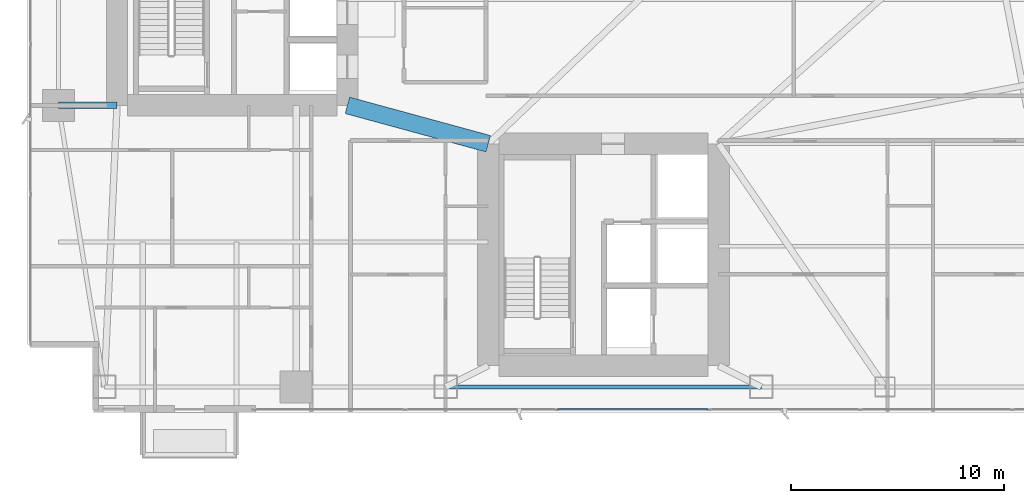
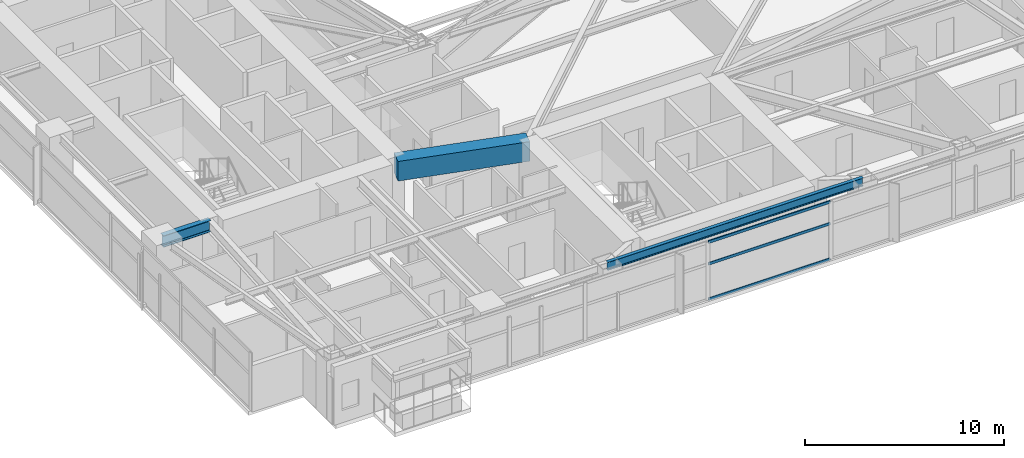
# One storey, part 7 of 29: 3 beams, 3 members, 1 element without a shape of its own.
"""IFC4 building model written with IfcOpenShell, lengths in metres."""

import ifcopenshell
import ifcopenshell.guid

model = None  # the IFC model being written
_history = None  # IfcOwnerHistory: only IFC2X3 demands one
_inside = {}  # id of a spatial element -> (the spatial element, [elements in it])
_under = {}  # id of a project, library or spatial element -> (it, [spatial elements below it])
_declared = {}  # id of a project -> (the project, [libraries it declares])
_typed = {}  # id of a type object -> (the type object, [elements of that type])
_made_of = {}  # id of a material, layer set ... -> (it, [elements and type objects made of it])


def new_model(schema):
    """Start an empty IFC model of exactly this schema.

    Asked for "IFC4X3", IfcOpenShell would pick the latest addendum, in which some entities
    have other attributes; the version numbers below select the first issue.
    IFC2X3 requires an IfcOwnerHistory on every rooted entity: one is made here for all.
    """
    global model, _history
    if schema == "IFC4X3":
        model = ifcopenshell.file(schema_version=(4, 3, 0, 0))
    else:
        model = ifcopenshell.file(schema=schema)
    _inside.clear()
    _under.clear()
    _declared.clear()
    _typed.clear()
    _made_of.clear()
    _history = None
    if model.schema == "IFC2X3":
        org = make("IfcOrganization", Name="unknown")
        user = make(
            "IfcPersonAndOrganization",
            ThePerson=make("IfcPerson", FamilyName="unknown"),
            TheOrganization=org,
        )
        app = make(
            "IfcApplication",
            ApplicationDeveloper=org,
            Version="unknown",
            ApplicationFullName="unknown",
            ApplicationIdentifier="unknown",
        )
        _history = make(
            "IfcOwnerHistory",
            OwningUser=user,
            OwningApplication=app,
            ChangeAction="ADDED",
            CreationDate=0,
        )
    return model


def make(cls, **values):
    """One entity of the class cls with the attributes given. An attribute that is None is left unset."""
    return model.create_entity(
        cls, **{name: value for name, value in values.items() if value is not None}
    )


def rooted(cls, **values):
    """An entity with a GlobalId (a new one), such as an element, a storey or a relation."""
    return make(cls, GlobalId=ifcopenshell.guid.new(), OwnerHistory=_history, **values)


def si_unit(unit_type, name, prefix=None):
    """IfcSIUnit, for example si_unit("LENGTHUNIT", "METRE", prefix="MILLI")."""
    return make("IfcSIUnit", UnitType=unit_type, Prefix=prefix, Name=name)


def assignment(units):
    """IfcUnitAssignment: the units of a project."""
    return None if units is None else make("IfcUnitAssignment", Units=units)


def point(xyz):
    """IfcCartesianPoint."""
    return None if xyz is None else make("IfcCartesianPoint", Coordinates=xyz)


def direction(xyz):
    """IfcDirection."""
    return None if xyz is None else make("IfcDirection", DirectionRatios=xyz)


def frame(location, z_axis=None, x_axis=None):
    """IfcAxis2Placement3D, a coordinate frame: its origin and axes. An axis left out is left unset."""
    return make(
        "IfcAxis2Placement3D",
        Location=point(location),
        Axis=direction(z_axis),
        RefDirection=direction(x_axis),
    )


def frame_2d(location, x_axis=None):
    """IfcAxis2Placement2D, a coordinate frame in the plane: its origin and x axis."""
    return make(
        "IfcAxis2Placement2D", Location=point(location), RefDirection=direction(x_axis)
    )


def origin():
    """The frame at (0, 0, 0) with its axes left unset."""
    return frame((0.0, 0.0, 0.0))


def origin_2d():
    """The frame at (0, 0) in the plane with its x axis left unset."""
    return frame_2d((0.0, 0.0))


def place(relative_to, where):
    """IfcLocalPlacement: puts the frame where relative to a parent placement (None: the world)."""
    return make(
        "IfcLocalPlacement", PlacementRelTo=relative_to, RelativePlacement=where
    )


def context(
    kind, dimensions, precision=None, world=None, true_north=None, identifier=None
):
    """IfcGeometricRepresentationContext, for example the 3D "Model" context."""
    return make(
        "IfcGeometricRepresentationContext",
        ContextIdentifier=identifier,
        ContextType=kind,
        CoordinateSpaceDimension=dimensions,
        Precision=precision,
        WorldCoordinateSystem=world,
        TrueNorth=true_north,
    )


def subcontext(parent, identifier, kind, view, scale=None):
    """IfcGeometricRepresentationSubContext, for example "Body" below "Model"."""
    return make(
        "IfcGeometricRepresentationSubContext",
        ContextIdentifier=identifier,
        ContextType=kind,
        ParentContext=parent,
        TargetScale=scale,
        TargetView=view,
    )


def project(units=None, contexts=None):
    """IfcProject with its units and contexts."""
    return rooted(
        "IfcProject",
        Name="project",
        RepresentationContexts=contexts,
        UnitsInContext=assignment(units),
    )


def spatial(cls, under=None, at=None, **own):
    """A site, building, storey or space (cls), placed at a placement, below another one or the project."""
    s = rooted(cls, ObjectPlacement=at, **own)
    if under is not None:
        _under.setdefault(under.id(), (under, []))[1].append(s)
    return s


def profile(cls, at=None, kind="AREA", **sizes):
    """A parametric profile (cls). Its sizes go by their IFC names, for example OverallWidth=200.0."""
    return make(cls, ProfileType=kind, Position=at, **sizes)


def rectangle(**sizes):
    """IfcRectangleProfileDef."""
    return profile("IfcRectangleProfileDef", **sizes)


def hollow_rectangle(**sizes):
    """IfcRectangleHollowProfileDef."""
    return profile("IfcRectangleHollowProfileDef", **sizes)


def i_section(**sizes):
    """IfcIShapeProfileDef."""
    return profile("IfcIShapeProfileDef", **sizes)


def extrude(swept, where, along, depth):
    """IfcExtrudedAreaSolid: the profile swept, set in the frame where, extruded along a direction by depth."""
    return make(
        "IfcExtrudedAreaSolid",
        SweptArea=swept,
        Position=where,
        ExtrudedDirection=direction(along),
        Depth=depth,
    )


def shape(context_of_items, identifier, shape_type, items):
    """IfcShapeRepresentation: the items that make up one representation, for example the "Body"."""
    return make(
        "IfcShapeRepresentation",
        ContextOfItems=context_of_items,
        RepresentationIdentifier=identifier,
        RepresentationType=shape_type,
        Items=items,
    )


def material(Name=None, Category=None):
    """IfcMaterial."""
    return make("IfcMaterial", Name=Name, Category=Category)


def layer(
    of_material, thickness, ventilated=None, Name=None, Category=None, Priority=None
):
    """IfcMaterialLayer: one layer of a wall or slab, of a material (None: an air gap)."""
    return make(
        "IfcMaterialLayer",
        Material=of_material,
        LayerThickness=thickness,
        IsVentilated=ventilated,
        Name=Name,
        Category=Category,
        Priority=Priority,
    )


def layer_set(layers, Name=None):
    """IfcMaterialLayerSet."""
    return make("IfcMaterialLayerSet", MaterialLayers=layers, LayerSetName=Name)


def material_profile(
    of_material, cross_section, Name=None, Category=None, Priority=None
):
    """IfcMaterialProfile: a cross section and its material."""
    return make(
        "IfcMaterialProfile",
        Name=Name,
        Material=of_material,
        Profile=cross_section,
        Priority=Priority,
        Category=Category,
    )


def profile_set(profiles, Name=None, composite=None):
    """IfcMaterialProfileSet."""
    return make(
        "IfcMaterialProfileSet",
        Name=Name,
        MaterialProfiles=profiles,
        CompositeProfile=composite,
    )


def made_of(thing, what):
    """Note that an element or type object is made of a material, layer set ...; save() writes the relation."""
    if what is not None:
        _made_of.setdefault(what.id(), (what, []))[1].append(thing)
    return thing


def type_object(cls, material=None, **own):
    """A type object (cls), such as IfcWallType, which elements share."""
    return made_of(rooted(cls, **own), material)


def element(
    cls,
    number,
    at=None,
    inside=None,
    cuts=None,
    type_object=None,
    material=None,
    context=None,
    identifier="Body",
    shape_type=None,
    held_by="IfcProductDefinitionShape",
    body=None,
    shapes=None,
    **own,
):
    """One element of the class cls, such as IfcWall. Its Tag is "e" and its number.

    at: its placement. inside: the storey or other place that contains it. cuts: it is an
    opening in that element (IfcRelVoidsElement). A single representation is given by context,
    identifier, shape_type and body (its items); several are given by shapes. held_by: the class
    of the entity that holds the representations. save() writes the other relations.
    """
    e = rooted(cls, Tag="e%d" % number, ObjectPlacement=at, **own)
    if body is not None:
        shapes = [shape(context, identifier, shape_type, body)]
    if shapes is not None:
        e.Representation = make(held_by, Representations=shapes)
    if inside is not None:
        _inside.setdefault(inside.id(), (inside, []))[1].append(e)
    if cuts is not None:
        rooted(
            "IfcRelVoidsElement", RelatingBuildingElement=cuts, RelatedOpeningElement=e
        )
    if type_object is not None:
        _typed.setdefault(type_object.id(), (type_object, []))[1].append(e)
    return made_of(e, material)


def aggregate(whole, parts):
    """IfcRelAggregates: a whole, such as a stair, and the parts it consists of."""
    return rooted("IfcRelAggregates", RelatingObject=whole, RelatedObjects=parts)


def save(model, path):
    """Write the relations noted so far, then the file.

    IfcRelAggregates (storeys below a building ...), IfcRelContainedInSpatialStructure (elements
    in a storey), IfcRelDefinesByType, IfcRelAssociatesMaterial and IfcRelDeclares: one each for
    every whole, place, type object, material and project.
    """
    for whole, parts in _under.values():
        aggregate(whole, parts)
    for where, things in _inside.values():
        rooted(
            "IfcRelContainedInSpatialStructure",
            RelatedElements=things,
            RelatingStructure=where,
        )
    for kind, things in _typed.values():
        rooted("IfcRelDefinesByType", RelatedObjects=things, RelatingType=kind)
    for what, things in _made_of.values():
        rooted("IfcRelAssociatesMaterial", RelatedObjects=things, RelatingMaterial=what)
    for by, libraries in _declared.values():
        rooted("IfcRelDeclares", RelatingContext=by, RelatedDefinitions=libraries)
    model.write(path)


model = new_model("IFC4")

# Units and contexts
model_context = context("Model", 3, precision=1e-05, world=origin(), true_north=direction((0.0, 1.0)))
body_context = subcontext(model_context, "Body", "Model", "MODEL_VIEW")
ifc_project = project(units=[si_unit("LENGTHUNIT", "METRE"), si_unit("AREAUNIT", "SQUARE_METRE"), si_unit("VOLUMEUNIT", "CUBIC_METRE"), si_unit("PLANEANGLEUNIT", "RADIAN"), si_unit("MASSUNIT", "GRAM", prefix="KILO")], contexts=[model_context])

# Site, building, storey
site_placement = place(None, origin())
site = spatial("IfcSite", under=ifc_project, at=site_placement, CompositionType="ELEMENT")
building_placement = place(site_placement, origin())
building = spatial("IfcBuilding", under=site, at=building_placement, Name="Calvorn Quay Hotel", CompositionType="ELEMENT")
storey_placement = place(building_placement, frame((0.0, 0.0, 66.0)))
storey = spatial("IfcBuildingStorey", under=building, at=storey_placement, Name="L15", CompositionType="ELEMENT", Elevation=66.0)

# Beams
ifc_material_1 = material(Name="Steel Q390GJC", Category="steel")
ifc_material_profile_1 = material_profile(ifc_material_1, i_section(OverallWidth=0.300048828125, OverallDepth=0.699951171875, WebThickness=0.012939453125, FlangeThickness=0.02392578125, FilletRadius=0.02392578125, at=origin_2d()), Name="HN700x300x13x24")
ifc_profile_set_1 = profile_set([ifc_material_profile_1], Name="Steel Q390GJC")
beam_type_1 = type_object("IfcBeamType", Name="BM-GIRD-MAIN", PredefinedType="BEAM", material=ifc_profile_set_1)
beam_1_placement = place(storey_placement, frame((1.449951171875, 16.800048828125, 3.18994140625), z_axis=(1.0, 0.0, 0.0), x_axis=(0.0, 1.0, 0.0)))
element("IfcBeam", 1, at=beam_1_placement, inside=storey, type_object=beam_type_1, Name="Beam BG-L15-W1", PredefinedType="BEAM", context=body_context, shape_type="SweptSolid", body=[
    extrude(i_section(OverallWidth=0.300048828125, OverallDepth=0.699951171875, WebThickness=0.012939453125, FlangeThickness=0.02392578125, FilletRadius=0.02392578125, at=origin_2d()), origin(), (0.0, 0.0, 1.0), 2.75),
])
ifc_material_2 = material(Name="Concrete C60", Category="concrete")
ifc_material_profile_2 = material_profile(ifc_material_2, rectangle(XDim=0.800048828125, YDim=1.199951171875, at=origin_2d()), Name="RCB800x1200")
ifc_profile_set_2 = profile_set([ifc_material_profile_2], Name="Concrete C60")
beam_type_2 = type_object("IfcBeamType", Name="BM-RC-LINK-800x1200", PredefinedType="BEAM", material=ifc_profile_set_2)
beam_2_placement = place(storey_placement, frame((15.0, 16.800048828125, 2.93994140625), z_axis=(0.964762997686, -0.263120425462, 0.0), x_axis=(0.263120425462, 0.964762997686, 0.0)))
element("IfcBeam", 2, at=beam_2_placement, inside=storey, type_object=beam_type_2, Name="Beam BCL-L15-01", PredefinedType="BEAM", context=body_context, shape_type="SweptSolid", body=[
    extrude(rectangle(XDim=0.800048828125, YDim=1.199951171875, at=origin_2d()), origin(), (0.0, 0.0, 1.0), 6.841064453125),
])
ifc_material_3 = material(Name="Steel Q355B", Category="steel")
ifc_material_profile_3 = material_profile(ifc_material_3, i_section(OverallWidth=0.199951171875, OverallDepth=0.5, WebThickness=0.010009765625, FlangeThickness=0.01611328125, FilletRadius=0.01611328125, at=origin_2d()), Name="HN500x200x10x16")
ifc_profile_set_3 = profile_set([ifc_material_profile_3], Name="Steel Q355B")
beam_type_3 = type_object("IfcBeamType", Name="BM-SPANDREL-Z1", PredefinedType="SPANDREL", material=ifc_profile_set_3)
beam_3_placement = place(storey_placement, frame((19.60009765625, 3.60009765625, 3.2900390625), z_axis=(1.0, 0.0, 0.0), x_axis=(0.0, 1.0, 0.0)))
element("IfcBeam", 3, at=beam_3_placement, inside=storey, type_object=beam_type_3, Name="Beam BSP-L15-S3", PredefinedType="SPANDREL", context=body_context, shape_type="SweptSolid", body=[
    extrude(i_section(OverallWidth=0.199951171875, OverallDepth=0.5, WebThickness=0.010009765625, FlangeThickness=0.01611328125, FilletRadius=0.01611328125, at=origin_2d()), origin(), (0.0, 0.0, 1.0), 14.7998046875),
])

# Curtain wall, members
ifc_material_4 = material(Name="Pale Anodised Aluminium and Low-E Glass", Category="aluminium")
ifc_layer = layer(ifc_material_4, 0.219970703125)
ifc_layer_set = layer_set([ifc_layer], Name="CW-SYS-Z1")
curtain_wall_type = type_object("IfcCurtainWallType", Name="CW-SYS-Z1", PredefinedType="NOTDEFINED", material=ifc_layer_set)
curtain_wall_placement = place(storey_placement, origin())
curtain_wall = element("IfcCurtainWall", 4, at=curtain_wall_placement, inside=storey, type_object=curtain_wall_type, Name="Tower South Waterfront Curtain Wall (L15)", PredefinedType="NOTDEFINED")
ifc_material_5 = material(Name="Pale Anodised Aluminium 6063-T6", Category="aluminium")
ifc_material_profile_4 = material_profile(ifc_material_5, hollow_rectangle(XDim=0.06494140625, YDim=0.1650390625, WallThickness=0.00341796875, at=origin_2d()), Name="ALU-T165x65x3.5")
ifc_profile_set_4 = profile_set([ifc_material_profile_4], Name="Pale Anodised Aluminium 6063-T6")
member_type = type_object("IfcMemberType", Name="CW-SYS-Z1-TRN", PredefinedType="USERDEFINED", material=ifc_profile_set_4)
member_1_placement = place(storey_placement, frame((24.858642578125, 2.550048828125, 0.030029296875), z_axis=(1.0, 0.0, 0.0), x_axis=(0.0, 1.0, 0.0)))
member_1 = element("IfcMember", 5, at=member_1_placement, type_object=member_type, Name="CW-L15-S transom 3.1", ObjectType="TRANSOM", PredefinedType="USERDEFINED", context=body_context, shape_type="SweptSolid", body=[
    extrude(hollow_rectangle(XDim=0.06494140625, YDim=0.1650390625, WallThickness=0.00341796875, at=origin_2d()), origin(), (0.0, 0.0, 1.0), 7.05419921875),
])
member_2_placement = place(storey_placement, frame((24.858642578125, 2.550048828125, 2.199951171875), z_axis=(1.0, 0.0, 0.0), x_axis=(0.0, 1.0, 0.0)))
member_2 = element("IfcMember", 6, at=member_2_placement, type_object=member_type, Name="CW-L15-S transom 3.2", ObjectType="TRANSOM", PredefinedType="USERDEFINED", context=body_context, shape_type="SweptSolid", body=[
    extrude(hollow_rectangle(XDim=0.06494140625, YDim=0.1650390625, WallThickness=0.00341796875, at=origin_2d()), origin(), (0.0, 0.0, 1.0), 7.05419921875),
])
member_3_placement = place(storey_placement, frame((24.858642578125, 2.550048828125, 3.530029296875), z_axis=(1.0, 0.0, 0.0), x_axis=(0.0, 1.0, 0.0)))
member_3 = element("IfcMember", 7, at=member_3_placement, type_object=member_type, Name="CW-L15-S transom 3.3", ObjectType="TRANSOM", PredefinedType="USERDEFINED", context=body_context, shape_type="SweptSolid", body=[
    extrude(hollow_rectangle(XDim=0.06494140625, YDim=0.1650390625, WallThickness=0.00341796875, at=origin_2d()), origin(), (0.0, 0.0, 1.0), 7.05419921875),
])
aggregate(curtain_wall, [member_1, member_2, member_3])

save(model, "model.ifc")
